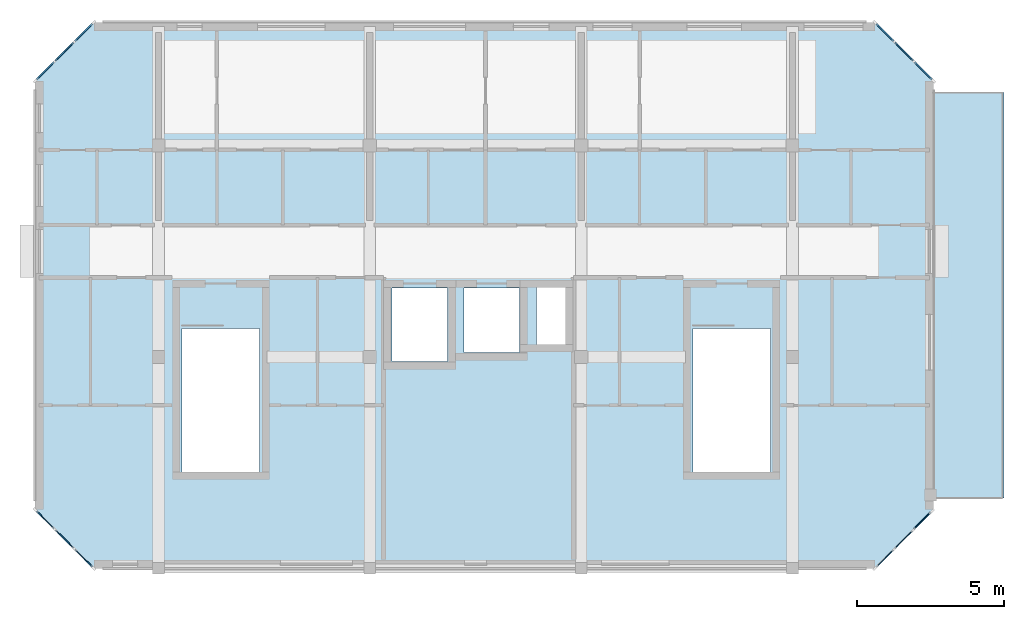
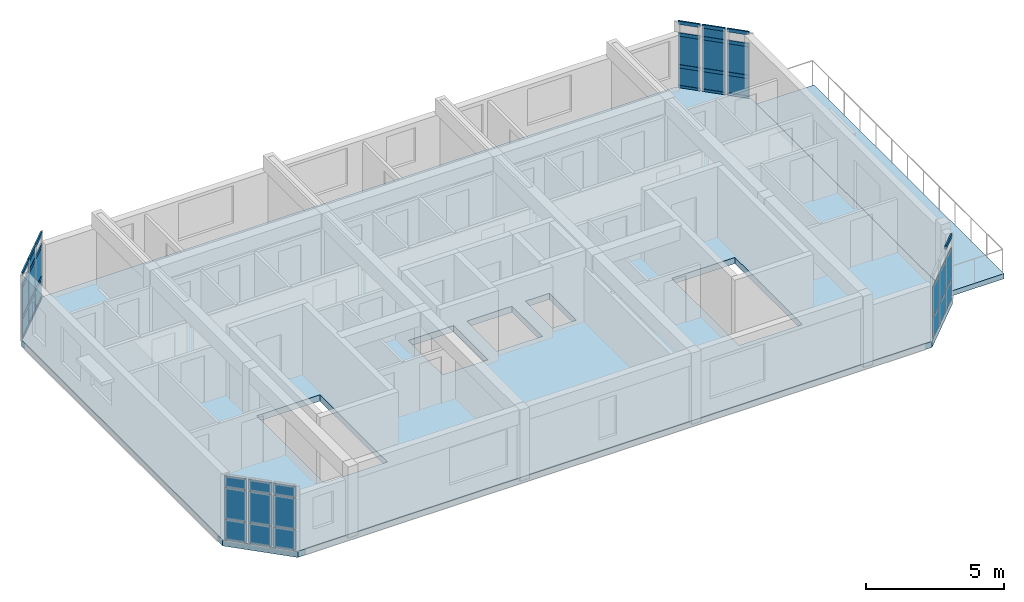
# One storey, part 2 of 6: 29 plates, 25 members, 2 slabs, 4 elements without a shape of their own.
"""IFC4 building model written with IfcOpenShell, lengths in metres."""

import ifcopenshell
import ifcopenshell.guid

model = None  # the IFC model being written
_history = None  # IfcOwnerHistory: only IFC2X3 demands one
_inside = {}  # id of a spatial element -> (the spatial element, [elements in it])
_under = {}  # id of a project, library or spatial element -> (it, [spatial elements below it])
_declared = {}  # id of a project -> (the project, [libraries it declares])
_typed = {}  # id of a type object -> (the type object, [elements of that type])
_made_of = {}  # id of a material, layer set ... -> (it, [elements and type objects made of it])


def new_model(schema):
    """Start an empty IFC model of exactly this schema.

    Asked for "IFC4X3", IfcOpenShell would pick the latest addendum, in which some entities
    have other attributes; the version numbers below select the first issue.
    IFC2X3 requires an IfcOwnerHistory on every rooted entity: one is made here for all.
    """
    global model, _history
    if schema == "IFC4X3":
        model = ifcopenshell.file(schema_version=(4, 3, 0, 0))
    else:
        model = ifcopenshell.file(schema=schema)
    _inside.clear()
    _under.clear()
    _declared.clear()
    _typed.clear()
    _made_of.clear()
    _history = None
    if model.schema == "IFC2X3":
        org = make("IfcOrganization", Name="unknown")
        user = make(
            "IfcPersonAndOrganization",
            ThePerson=make("IfcPerson", FamilyName="unknown"),
            TheOrganization=org,
        )
        app = make(
            "IfcApplication",
            ApplicationDeveloper=org,
            Version="unknown",
            ApplicationFullName="unknown",
            ApplicationIdentifier="unknown",
        )
        _history = make(
            "IfcOwnerHistory",
            OwningUser=user,
            OwningApplication=app,
            ChangeAction="ADDED",
            CreationDate=0,
        )
    return model


def make(cls, **values):
    """One entity of the class cls with the attributes given. An attribute that is None is left unset."""
    return model.create_entity(
        cls, **{name: value for name, value in values.items() if value is not None}
    )


def rooted(cls, **values):
    """An entity with a GlobalId (a new one), such as an element, a storey or a relation."""
    return make(cls, GlobalId=ifcopenshell.guid.new(), OwnerHistory=_history, **values)


def si_unit(unit_type, name, prefix=None):
    """IfcSIUnit, for example si_unit("LENGTHUNIT", "METRE", prefix="MILLI")."""
    return make("IfcSIUnit", UnitType=unit_type, Prefix=prefix, Name=name)


def assignment(units):
    """IfcUnitAssignment: the units of a project."""
    return None if units is None else make("IfcUnitAssignment", Units=units)


def point(xyz):
    """IfcCartesianPoint."""
    return None if xyz is None else make("IfcCartesianPoint", Coordinates=xyz)


def direction(xyz):
    """IfcDirection."""
    return None if xyz is None else make("IfcDirection", DirectionRatios=xyz)


def frame(location, z_axis=None, x_axis=None):
    """IfcAxis2Placement3D, a coordinate frame: its origin and axes. An axis left out is left unset."""
    return make(
        "IfcAxis2Placement3D",
        Location=point(location),
        Axis=direction(z_axis),
        RefDirection=direction(x_axis),
    )


def frame_2d(location, x_axis=None):
    """IfcAxis2Placement2D, a coordinate frame in the plane: its origin and x axis."""
    return make(
        "IfcAxis2Placement2D", Location=point(location), RefDirection=direction(x_axis)
    )


def origin():
    """The frame at (0, 0, 0) with its axes left unset."""
    return frame((0.0, 0.0, 0.0))


def origin_2d():
    """The frame at (0, 0) in the plane with its x axis left unset."""
    return frame_2d((0.0, 0.0))


def place(relative_to, where):
    """IfcLocalPlacement: puts the frame where relative to a parent placement (None: the world)."""
    return make(
        "IfcLocalPlacement", PlacementRelTo=relative_to, RelativePlacement=where
    )


def context(
    kind, dimensions, precision=None, world=None, true_north=None, identifier=None
):
    """IfcGeometricRepresentationContext, for example the 3D "Model" context."""
    return make(
        "IfcGeometricRepresentationContext",
        ContextIdentifier=identifier,
        ContextType=kind,
        CoordinateSpaceDimension=dimensions,
        Precision=precision,
        WorldCoordinateSystem=world,
        TrueNorth=true_north,
    )


def subcontext(parent, identifier, kind, view, scale=None):
    """IfcGeometricRepresentationSubContext, for example "Body" below "Model"."""
    return make(
        "IfcGeometricRepresentationSubContext",
        ContextIdentifier=identifier,
        ContextType=kind,
        ParentContext=parent,
        TargetScale=scale,
        TargetView=view,
    )


def project(units=None, contexts=None):
    """IfcProject with its units and contexts."""
    return rooted(
        "IfcProject",
        Name="project",
        RepresentationContexts=contexts,
        UnitsInContext=assignment(units),
    )


def spatial(cls, under=None, at=None, **own):
    """A site, building, storey or space (cls), placed at a placement, below another one or the project."""
    s = rooted(cls, ObjectPlacement=at, **own)
    if under is not None:
        _under.setdefault(under.id(), (under, []))[1].append(s)
    return s


def polyline(points):
    """IfcPolyline through the points."""
    return make("IfcPolyline", Points=[point(p) for p in points])


def profile(cls, at=None, kind="AREA", **sizes):
    """A parametric profile (cls). Its sizes go by their IFC names, for example OverallWidth=200.0."""
    return make(cls, ProfileType=kind, Position=at, **sizes)


def rectangle(**sizes):
    """IfcRectangleProfileDef."""
    return profile("IfcRectangleProfileDef", **sizes)


def outline(outer, holes=None, kind="AREA"):
    """IfcArbitraryClosedProfileDef: a profile drawn as a closed curve; with holes, ...WithVoids."""
    if holes is None:
        return make("IfcArbitraryClosedProfileDef", ProfileType=kind, OuterCurve=outer)
    return make(
        "IfcArbitraryProfileDefWithVoids",
        ProfileType=kind,
        OuterCurve=outer,
        InnerCurves=holes,
    )


def extrude(swept, where, along, depth):
    """IfcExtrudedAreaSolid: the profile swept, set in the frame where, extruded along a direction by depth."""
    return make(
        "IfcExtrudedAreaSolid",
        SweptArea=swept,
        Position=where,
        ExtrudedDirection=direction(along),
        Depth=depth,
    )


def shape(context_of_items, identifier, shape_type, items):
    """IfcShapeRepresentation: the items that make up one representation, for example the "Body"."""
    return make(
        "IfcShapeRepresentation",
        ContextOfItems=context_of_items,
        RepresentationIdentifier=identifier,
        RepresentationType=shape_type,
        Items=items,
    )


def material(Name=None, Category=None):
    """IfcMaterial."""
    return make("IfcMaterial", Name=Name, Category=Category)


def layer(
    of_material, thickness, ventilated=None, Name=None, Category=None, Priority=None
):
    """IfcMaterialLayer: one layer of a wall or slab, of a material (None: an air gap)."""
    return make(
        "IfcMaterialLayer",
        Material=of_material,
        LayerThickness=thickness,
        IsVentilated=ventilated,
        Name=Name,
        Category=Category,
        Priority=Priority,
    )


def layer_set(layers, Name=None):
    """IfcMaterialLayerSet."""
    return make("IfcMaterialLayerSet", MaterialLayers=layers, LayerSetName=Name)


def material_profile(
    of_material, cross_section, Name=None, Category=None, Priority=None
):
    """IfcMaterialProfile: a cross section and its material."""
    return make(
        "IfcMaterialProfile",
        Name=Name,
        Material=of_material,
        Profile=cross_section,
        Priority=Priority,
        Category=Category,
    )


def profile_set(profiles, Name=None, composite=None):
    """IfcMaterialProfileSet."""
    return make(
        "IfcMaterialProfileSet",
        Name=Name,
        MaterialProfiles=profiles,
        CompositeProfile=composite,
    )


def made_of(thing, what):
    """Note that an element or type object is made of a material, layer set ...; save() writes the relation."""
    if what is not None:
        _made_of.setdefault(what.id(), (what, []))[1].append(thing)
    return thing


def type_object(cls, material=None, **own):
    """A type object (cls), such as IfcWallType, which elements share."""
    return made_of(rooted(cls, **own), material)


def element(
    cls,
    number,
    at=None,
    inside=None,
    cuts=None,
    type_object=None,
    material=None,
    context=None,
    identifier="Body",
    shape_type=None,
    held_by="IfcProductDefinitionShape",
    body=None,
    shapes=None,
    **own,
):
    """One element of the class cls, such as IfcWall. Its Tag is "e" and its number.

    at: its placement. inside: the storey or other place that contains it. cuts: it is an
    opening in that element (IfcRelVoidsElement). A single representation is given by context,
    identifier, shape_type and body (its items); several are given by shapes. held_by: the class
    of the entity that holds the representations. save() writes the other relations.
    """
    e = rooted(cls, Tag="e%d" % number, ObjectPlacement=at, **own)
    if body is not None:
        shapes = [shape(context, identifier, shape_type, body)]
    if shapes is not None:
        e.Representation = make(held_by, Representations=shapes)
    if inside is not None:
        _inside.setdefault(inside.id(), (inside, []))[1].append(e)
    if cuts is not None:
        rooted(
            "IfcRelVoidsElement", RelatingBuildingElement=cuts, RelatedOpeningElement=e
        )
    if type_object is not None:
        _typed.setdefault(type_object.id(), (type_object, []))[1].append(e)
    return made_of(e, material)


def aggregate(whole, parts):
    """IfcRelAggregates: a whole, such as a stair, and the parts it consists of."""
    return rooted("IfcRelAggregates", RelatingObject=whole, RelatedObjects=parts)


def save(model, path):
    """Write the relations noted so far, then the file.

    IfcRelAggregates (storeys below a building ...), IfcRelContainedInSpatialStructure (elements
    in a storey), IfcRelDefinesByType, IfcRelAssociatesMaterial and IfcRelDeclares: one each for
    every whole, place, type object, material and project.
    """
    for whole, parts in _under.values():
        aggregate(whole, parts)
    for where, things in _inside.values():
        rooted(
            "IfcRelContainedInSpatialStructure",
            RelatedElements=things,
            RelatingStructure=where,
        )
    for kind, things in _typed.values():
        rooted("IfcRelDefinesByType", RelatedObjects=things, RelatingType=kind)
    for what, things in _made_of.values():
        rooted("IfcRelAssociatesMaterial", RelatedObjects=things, RelatingMaterial=what)
    for by, libraries in _declared.values():
        rooted("IfcRelDeclares", RelatingContext=by, RelatedDefinitions=libraries)
    model.write(path)


model = new_model("IFC4")

# Units and contexts
model_context = context("Model", 3, precision=1e-05, world=origin(), true_north=direction((0.0, 1.0)))
body_context = subcontext(model_context, "Body", "Model", "MODEL_VIEW")
ifc_project = project(units=[si_unit("LENGTHUNIT", "METRE"), si_unit("AREAUNIT", "SQUARE_METRE"), si_unit("VOLUMEUNIT", "CUBIC_METRE"), si_unit("PLANEANGLEUNIT", "RADIAN"), si_unit("MASSUNIT", "GRAM", prefix="KILO")], contexts=[model_context])

# Site, building, storey
site_placement = place(None, origin())
site = spatial("IfcSite", under=ifc_project, at=site_placement, CompositionType="ELEMENT")
building_placement = place(site_placement, origin())
building = spatial("IfcBuilding", under=site, at=building_placement, Name="Ochrevale Crest", CompositionType="ELEMENT")
storey_placement = place(building_placement, frame((0.0, 0.0, 49.64990234375)))
storey = spatial("IfcBuildingStorey", under=building, at=storey_placement, Name="L15", CompositionType="ELEMENT", Elevation=49.64990234375)

# Curtain wall, member
ifc_material_1 = material(Name="Anodised aluminium 6063-T5", Category="aluminium")
ifc_layer_1 = layer(ifc_material_1, 0.14990234375)
ifc_layer_set_1 = layer_set([ifc_layer_1], Name="Anodised aluminium 6063-T5")
curtain_wall_type_1 = type_object("IfcCurtainWallType", Name="CW-WG-320x285", PredefinedType="NOTDEFINED", material=ifc_layer_set_1)
curtain_wall_1_placement = place(storey_placement, origin())
curtain_wall_1 = element("IfcCurtainWall", 1, at=curtain_wall_1_placement, inside=storey, type_object=curtain_wall_type_1, Name="Block D L15 chamfered corner wintergarden curtain wall 2", PredefinedType="NOTDEFINED")
ifc_material_profile = material_profile(ifc_material_1, rectangle(XDim=0.06005859375, YDim=0.14990234375, at=origin_2d()), Name="ALU 60x150")
ifc_profile_set = profile_set([ifc_material_profile], Name="Anodised aluminium 6063-T5")
member_type = type_object("IfcMemberType", Name="CW-TRN-60x150", PredefinedType="USERDEFINED", material=ifc_profile_set)
member_1_placement = place(storey_placement, frame((162.533203125, 73.333251953125, 2.880126953125), z_axis=(0.707106781187, 0.707106781187, 0.0), x_axis=(-0.707106781187, 0.707106781187, 0.0)))
member_1 = element("IfcMember", 2, at=member_1_placement, type_object=member_type, Name="CW17 transom 3.4", ObjectType="TRANSOM", PredefinedType="USERDEFINED", context=body_context, shape_type="SweptSolid", body=[
    extrude(rectangle(XDim=0.06005859375, YDim=0.14990234375, at=origin_2d()), origin(), (0.0, 0.0, 1.0), 0.811279296875),
])

# Curtain wall, members
ifc_layer_2 = layer(ifc_material_1, 0.14990234375)
ifc_layer_set_2 = layer_set([ifc_layer_2], Name="Anodised aluminium 6063-T5")
curtain_wall_type_2 = type_object("IfcCurtainWallType", Name="CW-WG-420x285", PredefinedType="NOTDEFINED", material=ifc_layer_set_2)
curtain_wall_2_placement = place(storey_placement, origin())
curtain_wall_2 = element("IfcCurtainWall", 3, at=curtain_wall_2_placement, inside=storey, type_object=curtain_wall_type_2, Name="Block D L15 chamfered corner wintergarden curtain wall 4", PredefinedType="NOTDEFINED")
member_2_placement = place(storey_placement, frame((163.14697265625, 88.653076171875, 0.030029296875), z_axis=(-0.707106781187, 0.707106781187, 0.0), x_axis=(-0.707106781187, -0.707106781187, 0.0)))
member_2 = element("IfcMember", 4, at=member_2_placement, type_object=member_type, Name="CW22 transom 1.1", ObjectType="TRANSOM", PredefinedType="USERDEFINED", context=body_context, shape_type="SweptSolid", body=[
    extrude(rectangle(XDim=0.06005859375, YDim=0.14990234375, at=origin_2d()), origin(), (0.0, 0.0, 1.0), 0.830322265625),
])
member_3_placement = place(storey_placement, frame((163.14697265625, 88.653076171875, 0.9501953125), z_axis=(-0.707106781187, 0.707106781187, 0.0), x_axis=(-0.707106781187, -0.707106781187, 0.0)))
member_3 = element("IfcMember", 5, at=member_3_placement, type_object=member_type, Name="CW22 transom 1.2", ObjectType="TRANSOM", PredefinedType="USERDEFINED", context=body_context, shape_type="SweptSolid", body=[
    extrude(rectangle(XDim=0.06005859375, YDim=0.14990234375, at=origin_2d()), origin(), (0.0, 0.0, 1.0), 0.830322265625),
])
member_4_placement = place(storey_placement, frame((163.14697265625, 88.653076171875, 2.360107421875), z_axis=(-0.707106781187, 0.707106781187, 0.0), x_axis=(-0.707106781187, -0.707106781187, 0.0)))
member_4 = element("IfcMember", 6, at=member_4_placement, type_object=member_type, Name="CW22 transom 1.3", ObjectType="TRANSOM", PredefinedType="USERDEFINED", context=body_context, shape_type="SweptSolid", body=[
    extrude(rectangle(XDim=0.06005859375, YDim=0.14990234375, at=origin_2d()), origin(), (0.0, 0.0, 1.0), 0.830322265625),
])
member_5_placement = place(storey_placement, frame((163.14697265625, 88.653076171875, 2.880126953125), z_axis=(-0.707106781187, 0.707106781187, 0.0), x_axis=(-0.707106781187, -0.707106781187, 0.0)))
member_5 = element("IfcMember", 7, at=member_5_placement, type_object=member_type, Name="CW22 transom 1.4", ObjectType="TRANSOM", PredefinedType="USERDEFINED", context=body_context, shape_type="SweptSolid", body=[
    extrude(rectangle(XDim=0.06005859375, YDim=0.14990234375, at=origin_2d()), origin(), (0.0, 0.0, 1.0), 0.830322265625),
])
member_6_placement = place(storey_placement, frame((162.5068359375, 89.293212890625, 0.030029296875), z_axis=(-0.707247428976, 0.706966105416, 0.0), x_axis=(-0.706966105416, -0.707247428976, 0.0)))
member_6 = element("IfcMember", 8, at=member_6_placement, type_object=member_type, Name="CW22 transom 2.1", ObjectType="TRANSOM", PredefinedType="USERDEFINED", context=body_context, shape_type="SweptSolid", body=[
    extrude(rectangle(XDim=0.06005859375, YDim=0.14990234375, at=origin_2d()), origin(), (0.0, 0.0, 1.0), 0.867919921875),
])
member_7_placement = place(storey_placement, frame((162.5068359375, 89.293212890625, 0.9501953125), z_axis=(-0.707247428976, 0.706966105416, 0.0), x_axis=(-0.706966105416, -0.707247428976, 0.0)))
member_7 = element("IfcMember", 9, at=member_7_placement, type_object=member_type, Name="CW22 transom 2.2", ObjectType="TRANSOM", PredefinedType="USERDEFINED", context=body_context, shape_type="SweptSolid", body=[
    extrude(rectangle(XDim=0.06005859375, YDim=0.14990234375, at=origin_2d()), origin(), (0.0, 0.0, 1.0), 0.867919921875),
])
member_8_placement = place(storey_placement, frame((162.5068359375, 89.293212890625, 2.360107421875), z_axis=(-0.707247428976, 0.706966105416, 0.0), x_axis=(-0.706966105416, -0.707247428976, 0.0)))
member_8 = element("IfcMember", 10, at=member_8_placement, type_object=member_type, Name="CW22 transom 2.3", ObjectType="TRANSOM", PredefinedType="USERDEFINED", context=body_context, shape_type="SweptSolid", body=[
    extrude(rectangle(XDim=0.06005859375, YDim=0.14990234375, at=origin_2d()), origin(), (0.0, 0.0, 1.0), 0.867919921875),
])
member_9_placement = place(storey_placement, frame((162.5068359375, 89.293212890625, 2.880126953125), z_axis=(-0.707247428976, 0.706966105416, 0.0), x_axis=(-0.706966105416, -0.707247428976, 0.0)))
member_9 = element("IfcMember", 11, at=member_9_placement, type_object=member_type, Name="CW22 transom 2.4", ObjectType="TRANSOM", PredefinedType="USERDEFINED", context=body_context, shape_type="SweptSolid", body=[
    extrude(rectangle(XDim=0.06005859375, YDim=0.14990234375, at=origin_2d()), origin(), (0.0, 0.0, 1.0), 0.867919921875),
])
member_10_placement = place(storey_placement, frame((161.840087890625, 89.9599609375, 0.030029296875), z_axis=(-0.707253804112, 0.706959727686, 0.0), x_axis=(-0.706959727686, -0.707253804112, 0.0)))
member_10 = element("IfcMember", 12, at=member_10_placement, type_object=member_type, Name="CW22 transom 3.1", ObjectType="TRANSOM", PredefinedType="USERDEFINED", context=body_context, shape_type="SweptSolid", body=[
    extrude(rectangle(XDim=0.06005859375, YDim=0.14990234375, at=origin_2d()), origin(), (0.0, 0.0, 1.0), 0.830078125),
])
member_11_placement = place(storey_placement, frame((161.840087890625, 89.9599609375, 0.9501953125), z_axis=(-0.707253804112, 0.706959727686, 0.0), x_axis=(-0.706959727686, -0.707253804112, 0.0)))
member_11 = element("IfcMember", 13, at=member_11_placement, type_object=member_type, Name="CW22 transom 3.2", ObjectType="TRANSOM", PredefinedType="USERDEFINED", context=body_context, shape_type="SweptSolid", body=[
    extrude(rectangle(XDim=0.06005859375, YDim=0.14990234375, at=origin_2d()), origin(), (0.0, 0.0, 1.0), 0.830078125),
])
member_12_placement = place(storey_placement, frame((161.840087890625, 89.9599609375, 2.360107421875), z_axis=(-0.707253804112, 0.706959727686, 0.0), x_axis=(-0.706959727686, -0.707253804112, 0.0)))
member_12 = element("IfcMember", 14, at=member_12_placement, type_object=member_type, Name="CW22 transom 3.3", ObjectType="TRANSOM", PredefinedType="USERDEFINED", context=body_context, shape_type="SweptSolid", body=[
    extrude(rectangle(XDim=0.06005859375, YDim=0.14990234375, at=origin_2d()), origin(), (0.0, 0.0, 1.0), 0.830078125),
])
member_13_placement = place(storey_placement, frame((161.840087890625, 89.9599609375, 2.880126953125), z_axis=(-0.707253804112, 0.706959727686, 0.0), x_axis=(-0.706959727686, -0.707253804112, 0.0)))
member_13 = element("IfcMember", 15, at=member_13_placement, type_object=member_type, Name="CW22 transom 3.4", ObjectType="TRANSOM", PredefinedType="USERDEFINED", context=body_context, shape_type="SweptSolid", body=[
    extrude(rectangle(XDim=0.06005859375, YDim=0.14990234375, at=origin_2d()), origin(), (0.0, 0.0, 1.0), 0.830078125),
])

ifc_layer_3 = layer(ifc_material_1, 0.14990234375)
ifc_layer_set_3 = layer_set([ifc_layer_3], Name="Anodised aluminium 6063-T5")
curtain_wall_type_3 = type_object("IfcCurtainWallType", Name="CW-WG-280x285", PredefinedType="NOTDEFINED", material=ifc_layer_set_3)
curtain_wall_3_placement = place(storey_placement, origin())
curtain_wall_3 = element("IfcCurtainWall", 16, at=curtain_wall_3_placement, inside=storey, type_object=curtain_wall_type_3, Name="Block D L15 chamfered corner wintergarden curtain wall 6", PredefinedType="NOTDEFINED")
member_14_placement = place(storey_placement, frame((134.546875, 90.546875, 0.030029296875), z_axis=(-0.707106781187, -0.707106781187, 0.0), x_axis=(0.707106781187, -0.707106781187, 0.0)))
member_14 = element("IfcMember", 17, at=member_14_placement, type_object=member_type, Name="CW16 transom 1.1", ObjectType="TRANSOM", PredefinedType="USERDEFINED", context=body_context, shape_type="SweptSolid", body=[
    extrude(rectangle(XDim=0.06005859375, YDim=0.14990234375, at=origin_2d()), origin(), (0.0, 0.0, 1.0), 0.830078125),
])
member_15_placement = place(storey_placement, frame((134.546875, 90.546875, 0.9501953125), z_axis=(-0.707106781187, -0.707106781187, 0.0), x_axis=(0.707106781187, -0.707106781187, 0.0)))
member_15 = element("IfcMember", 18, at=member_15_placement, type_object=member_type, Name="CW16 transom 1.2", ObjectType="TRANSOM", PredefinedType="USERDEFINED", context=body_context, shape_type="SweptSolid", body=[
    extrude(rectangle(XDim=0.06005859375, YDim=0.14990234375, at=origin_2d()), origin(), (0.0, 0.0, 1.0), 0.830078125),
])
member_16_placement = place(storey_placement, frame((134.546875, 90.546875, 2.360107421875), z_axis=(-0.707106781187, -0.707106781187, 0.0), x_axis=(0.707106781187, -0.707106781187, 0.0)))
member_16 = element("IfcMember", 19, at=member_16_placement, type_object=member_type, Name="CW16 transom 1.3", ObjectType="TRANSOM", PredefinedType="USERDEFINED", context=body_context, shape_type="SweptSolid", body=[
    extrude(rectangle(XDim=0.06005859375, YDim=0.14990234375, at=origin_2d()), origin(), (0.0, 0.0, 1.0), 0.830078125),
])
member_17_placement = place(storey_placement, frame((134.546875, 90.546875, 2.880126953125), z_axis=(-0.707106781187, -0.707106781187, 0.0), x_axis=(0.707106781187, -0.707106781187, 0.0)))
member_17 = element("IfcMember", 20, at=member_17_placement, type_object=member_type, Name="CW16 transom 1.4", ObjectType="TRANSOM", PredefinedType="USERDEFINED", context=body_context, shape_type="SweptSolid", body=[
    extrude(rectangle(XDim=0.06005859375, YDim=0.14990234375, at=origin_2d()), origin(), (0.0, 0.0, 1.0), 0.830078125),
])
member_18_placement = place(storey_placement, frame((133.90673828125, 89.90673828125, 0.030029296875), z_axis=(-0.707106781187, -0.707106781187, 0.0), x_axis=(0.707106781187, -0.707106781187, 0.0)))
member_18 = element("IfcMember", 21, at=member_18_placement, type_object=member_type, Name="CW16 transom 2.1", ObjectType="TRANSOM", PredefinedType="USERDEFINED", context=body_context, shape_type="SweptSolid", body=[
    extrude(rectangle(XDim=0.06005859375, YDim=0.14990234375, at=origin_2d()), origin(), (0.0, 0.0, 1.0), 0.86767578125),
])
member_19_placement = place(storey_placement, frame((133.90673828125, 89.90673828125, 0.9501953125), z_axis=(-0.707106781187, -0.707106781187, 0.0), x_axis=(0.707106781187, -0.707106781187, 0.0)))
member_19 = element("IfcMember", 22, at=member_19_placement, type_object=member_type, Name="CW16 transom 2.2", ObjectType="TRANSOM", PredefinedType="USERDEFINED", context=body_context, shape_type="SweptSolid", body=[
    extrude(rectangle(XDim=0.06005859375, YDim=0.14990234375, at=origin_2d()), origin(), (0.0, 0.0, 1.0), 0.86767578125),
])
member_20_placement = place(storey_placement, frame((133.90673828125, 89.90673828125, 2.360107421875), z_axis=(-0.707106781187, -0.707106781187, 0.0), x_axis=(0.707106781187, -0.707106781187, 0.0)))
member_20 = element("IfcMember", 23, at=member_20_placement, type_object=member_type, Name="CW16 transom 2.3", ObjectType="TRANSOM", PredefinedType="USERDEFINED", context=body_context, shape_type="SweptSolid", body=[
    extrude(rectangle(XDim=0.06005859375, YDim=0.14990234375, at=origin_2d()), origin(), (0.0, 0.0, 1.0), 0.86767578125),
])
member_21_placement = place(storey_placement, frame((133.90673828125, 89.90673828125, 2.880126953125), z_axis=(-0.707106781187, -0.707106781187, 0.0), x_axis=(0.707106781187, -0.707106781187, 0.0)))
member_21 = element("IfcMember", 24, at=member_21_placement, type_object=member_type, Name="CW16 transom 2.4", ObjectType="TRANSOM", PredefinedType="USERDEFINED", context=body_context, shape_type="SweptSolid", body=[
    extrude(rectangle(XDim=0.06005859375, YDim=0.14990234375, at=origin_2d()), origin(), (0.0, 0.0, 1.0), 0.86767578125),
])
member_22_placement = place(storey_placement, frame((133.240234375, 89.240234375, 0.030029296875), z_axis=(-0.707106781187, -0.707106781187, 0.0), x_axis=(0.707106781187, -0.707106781187, 0.0)))
member_22 = element("IfcMember", 25, at=member_22_placement, type_object=member_type, Name="CW16 transom 3.1", ObjectType="TRANSOM", PredefinedType="USERDEFINED", context=body_context, shape_type="SweptSolid", body=[
    extrude(rectangle(XDim=0.06005859375, YDim=0.14990234375, at=origin_2d()), origin(), (0.0, 0.0, 1.0), 0.830322265625),
])
member_23_placement = place(storey_placement, frame((133.240234375, 89.240234375, 0.9501953125), z_axis=(-0.707106781187, -0.707106781187, 0.0), x_axis=(0.707106781187, -0.707106781187, 0.0)))
member_23 = element("IfcMember", 26, at=member_23_placement, type_object=member_type, Name="CW16 transom 3.2", ObjectType="TRANSOM", PredefinedType="USERDEFINED", context=body_context, shape_type="SweptSolid", body=[
    extrude(rectangle(XDim=0.06005859375, YDim=0.14990234375, at=origin_2d()), origin(), (0.0, 0.0, 1.0), 0.830322265625),
])
member_24_placement = place(storey_placement, frame((133.240234375, 89.240234375, 2.360107421875), z_axis=(-0.707106781187, -0.707106781187, 0.0), x_axis=(0.707106781187, -0.707106781187, 0.0)))
member_24 = element("IfcMember", 27, at=member_24_placement, type_object=member_type, Name="CW16 transom 3.3", ObjectType="TRANSOM", PredefinedType="USERDEFINED", context=body_context, shape_type="SweptSolid", body=[
    extrude(rectangle(XDim=0.06005859375, YDim=0.14990234375, at=origin_2d()), origin(), (0.0, 0.0, 1.0), 0.830322265625),
])
member_25_placement = place(storey_placement, frame((133.240234375, 89.240234375, 2.880126953125), z_axis=(-0.707106781187, -0.707106781187, 0.0), x_axis=(0.707106781187, -0.707106781187, 0.0)))
member_25 = element("IfcMember", 28, at=member_25_placement, type_object=member_type, Name="CW16 transom 3.4", ObjectType="TRANSOM", PredefinedType="USERDEFINED", context=body_context, shape_type="SweptSolid", body=[
    extrude(rectangle(XDim=0.06005859375, YDim=0.14990234375, at=origin_2d()), origin(), (0.0, 0.0, 1.0), 0.830322265625),
])

# Plate
ifc_material_2 = material(Name="Double-glazed low-E insulated glass unit", Category="glass")
ifc_layer_4 = layer(ifc_material_2, 0.028076171875)
ifc_layer_set_4 = layer_set([ifc_layer_4], Name="Double-glazed low-E insulated glass unit")
plate_type_1 = type_object("IfcPlateType", Name="CW-PNL-IGU28", PredefinedType="CURTAIN_PANEL", material=ifc_layer_set_4)
plate_1_placement = place(storey_placement, frame((161.5400390625, 72.33984375, 0.06005859375), z_axis=(0.0, 0.0, 1.0), x_axis=(0.707106781187, 0.707106781187, 0.0)))
plate_1 = element("IfcPlate", 29, at=plate_1_placement, type_object=plate_type_1, Name="CW17 panel 1.1", PredefinedType="CURTAIN_PANEL", context=body_context, shape_type="SweptSolid", body=[
    extrude(rectangle(XDim=0.8115234375, YDim=0.028076171875, at=origin_2d()), origin(), (0.0, 0.0, 1.0), 0.860107421875),
])

plate_2_placement = place(storey_placement, frame((161.5400390625, 72.33984375, 0.97998046875), z_axis=(0.0, 0.0, 1.0), x_axis=(0.707106781187, 0.707106781187, 0.0)))
plate_2 = element("IfcPlate", 30, at=plate_2_placement, type_object=plate_type_1, Name="CW17 panel 1.2", PredefinedType="CURTAIN_PANEL", context=body_context, shape_type="SweptSolid", body=[
    extrude(rectangle(XDim=0.8115234375, YDim=0.028076171875, at=origin_2d()), origin(), (0.0, 0.0, 1.0), 1.35009765625),
])

plate_3_placement = place(storey_placement, frame((162.179931640625, 72.97998046875, 0.06005859375), z_axis=(0.0, 0.0, 1.0), x_axis=(0.707106781187, 0.707106781187, 0.0)))
plate_3 = element("IfcPlate", 31, at=plate_3_placement, type_object=plate_type_1, Name="CW17 panel 2.1", PredefinedType="CURTAIN_PANEL", context=body_context, shape_type="SweptSolid", body=[
    extrude(rectangle(XDim=0.848876953125, YDim=0.028076171875, at=origin_2d()), origin(), (0.0, 0.0, 1.0), 0.860107421875),
])

plate_4_placement = place(storey_placement, frame((162.179931640625, 72.97998046875, 0.97998046875), z_axis=(0.0, 0.0, 1.0), x_axis=(0.707106781187, 0.707106781187, 0.0)))
plate_4 = element("IfcPlate", 32, at=plate_4_placement, type_object=plate_type_1, Name="CW17 panel 2.2", PredefinedType="CURTAIN_PANEL", context=body_context, shape_type="SweptSolid", body=[
    extrude(rectangle(XDim=0.848876953125, YDim=0.028076171875, at=origin_2d()), origin(), (0.0, 0.0, 1.0), 1.35009765625),
])

plate_5_placement = place(storey_placement, frame((162.820068359375, 73.6201171875, 0.06005859375), z_axis=(0.0, 0.0, 1.0), x_axis=(0.707106781187, 0.707106781187, 0.0)))
plate_5 = element("IfcPlate", 33, at=plate_5_placement, type_object=plate_type_1, Name="CW17 panel 3.1", PredefinedType="CURTAIN_PANEL", context=body_context, shape_type="SweptSolid", body=[
    extrude(rectangle(XDim=0.8115234375, YDim=0.028076171875, at=origin_2d()), origin(), (0.0, 0.0, 1.0), 0.860107421875),
])

plate_6_placement = place(storey_placement, frame((162.820068359375, 73.6201171875, 0.97998046875), z_axis=(0.0, 0.0, 1.0), x_axis=(0.707106781187, 0.707106781187, 0.0)))
plate_6 = element("IfcPlate", 34, at=plate_6_placement, type_object=plate_type_1, Name="CW17 panel 3.2", PredefinedType="CURTAIN_PANEL", context=body_context, shape_type="SweptSolid", body=[
    extrude(rectangle(XDim=0.8115234375, YDim=0.028076171875, at=origin_2d()), origin(), (0.0, 0.0, 1.0), 1.35009765625),
])

aggregate(curtain_wall_1, [plate_1, plate_2, plate_3, plate_4, member_1, plate_5, plate_6])

plate_7_placement = place(storey_placement, frame((162.853515625, 88.946533203125, 0.06005859375), z_axis=(0.0, 0.0, 1.0), x_axis=(-0.707106781187, 0.707106781187, 0.0)))
plate_7 = element("IfcPlate", 35, at=plate_7_placement, type_object=plate_type_1, Name="CW22 panel 1.1", PredefinedType="CURTAIN_PANEL", context=body_context, shape_type="SweptSolid", body=[
    extrude(rectangle(XDim=0.830322265625, YDim=0.028076171875, at=origin_2d()), origin(), (0.0, 0.0, 1.0), 0.860107421875),
])

plate_8_placement = place(storey_placement, frame((162.853515625, 88.946533203125, 0.97998046875), z_axis=(0.0, 0.0, 1.0), x_axis=(-0.707106781187, 0.707106781187, 0.0)))
plate_8 = element("IfcPlate", 36, at=plate_8_placement, type_object=plate_type_1, Name="CW22 panel 1.2", PredefinedType="CURTAIN_PANEL", context=body_context, shape_type="SweptSolid", body=[
    extrude(rectangle(XDim=0.830322265625, YDim=0.028076171875, at=origin_2d()), origin(), (0.0, 0.0, 1.0), 1.35009765625),
])

plate_9_placement = place(storey_placement, frame((162.199951171875, 89.60009765625, 0.06005859375), z_axis=(0.0, 0.0, 1.0), x_axis=(-0.707106781187, 0.707106781187, 0.0)))
plate_9 = element("IfcPlate", 37, at=plate_9_placement, type_object=plate_type_1, Name="CW22 panel 2.1", PredefinedType="CURTAIN_PANEL", context=body_context, shape_type="SweptSolid", body=[
    extrude(rectangle(XDim=0.867919921875, YDim=0.028076171875, at=origin_2d()), origin(), (0.0, 0.0, 1.0), 0.860107421875),
])

plate_10_placement = place(storey_placement, frame((162.199951171875, 89.60009765625, 0.97998046875), z_axis=(0.0, 0.0, 1.0), x_axis=(-0.707106781187, 0.707106781187, 0.0)))
plate_10 = element("IfcPlate", 38, at=plate_10_placement, type_object=plate_type_1, Name="CW22 panel 2.2", PredefinedType="CURTAIN_PANEL", context=body_context, shape_type="SweptSolid", body=[
    extrude(rectangle(XDim=0.867919921875, YDim=0.028076171875, at=origin_2d()), origin(), (0.0, 0.0, 1.0), 1.35009765625),
])

plate_11_placement = place(storey_placement, frame((162.199951171875, 89.60009765625, 2.39013671875), z_axis=(0.0, 0.0, 1.0), x_axis=(-0.707106781187, 0.707106781187, 0.0)))
plate_11 = element("IfcPlate", 39, at=plate_11_placement, type_object=plate_type_1, Name="CW22 panel 2.3", PredefinedType="CURTAIN_PANEL", context=body_context, shape_type="SweptSolid", body=[
    extrude(rectangle(XDim=0.867919921875, YDim=0.028076171875, at=origin_2d()), origin(), (0.0, 0.0, 1.0), 0.4599609375),
])

plate_12_placement = place(storey_placement, frame((161.546630859375, 90.25341796875, 0.06005859375), z_axis=(0.0, 0.0, 1.0), x_axis=(-0.707106781187, 0.707106781187, 0.0)))
plate_12 = element("IfcPlate", 40, at=plate_12_placement, type_object=plate_type_1, Name="CW22 panel 3.1", PredefinedType="CURTAIN_PANEL", context=body_context, shape_type="SweptSolid", body=[
    extrude(rectangle(XDim=0.830322265625, YDim=0.028076171875, at=origin_2d()), origin(), (0.0, 0.0, 1.0), 0.860107421875),
])

plate_13_placement = place(storey_placement, frame((161.546630859375, 90.25341796875, 0.97998046875), z_axis=(0.0, 0.0, 1.0), x_axis=(-0.707106781187, 0.707106781187, 0.0)))
plate_13 = element("IfcPlate", 41, at=plate_13_placement, type_object=plate_type_1, Name="CW22 panel 3.2", PredefinedType="CURTAIN_PANEL", context=body_context, shape_type="SweptSolid", body=[
    extrude(rectangle(XDim=0.830322265625, YDim=0.028076171875, at=origin_2d()), origin(), (0.0, 0.0, 1.0), 1.35009765625),
])

aggregate(curtain_wall_2, [member_2, member_3, member_4, member_5, plate_7, plate_8, member_6, member_7, member_8, member_9, plate_9, plate_10, plate_11, member_10, member_11, member_12, member_13, plate_12, plate_13])

ifc_material_3 = material(Name="Acoustic laminated low-E insulated glass unit", Category="glass")
ifc_layer_5 = layer(ifc_material_3, 0.0380859375)
ifc_layer_set_5 = layer_set([ifc_layer_5], Name="Acoustic laminated low-E insulated glass unit")
plate_type_2 = type_object("IfcPlateType", Name="CW-PNL-IGU38", PredefinedType="CURTAIN_PANEL", material=ifc_layer_set_5)
plate_14_placement = place(storey_placement, frame((134.25341796875, 90.25341796875, 0.06005859375), z_axis=(0.0, 0.0, 1.0), x_axis=(-0.707106781187, -0.707106781187, 0.0)))
plate_14 = element("IfcPlate", 42, at=plate_14_placement, type_object=plate_type_2, Name="CW16 panel 1.1", PredefinedType="CURTAIN_PANEL", context=body_context, shape_type="SweptSolid", body=[
    extrude(rectangle(XDim=0.830322265625, YDim=0.0380859375, at=origin_2d()), origin(), (0.0, 0.0, 1.0), 0.860107421875),
])

plate_15_placement = place(storey_placement, frame((134.25341796875, 90.25341796875, 0.97998046875), z_axis=(0.0, 0.0, 1.0), x_axis=(-0.707106781187, -0.707106781187, 0.0)))
plate_15 = element("IfcPlate", 43, at=plate_15_placement, type_object=plate_type_2, Name="CW16 panel 1.2", PredefinedType="CURTAIN_PANEL", context=body_context, shape_type="SweptSolid", body=[
    extrude(rectangle(XDim=0.830322265625, YDim=0.0380859375, at=origin_2d()), origin(), (0.0, 0.0, 1.0), 1.35009765625),
])

plate_16_placement = place(storey_placement, frame((133.60009765625, 89.60009765625, 0.06005859375), z_axis=(0.0, 0.0, 1.0), x_axis=(-0.707106781187, -0.707106781187, 0.0)))
plate_16 = element("IfcPlate", 44, at=plate_16_placement, type_object=plate_type_2, Name="CW16 panel 2.1", PredefinedType="CURTAIN_PANEL", context=body_context, shape_type="SweptSolid", body=[
    extrude(rectangle(XDim=0.867919921875, YDim=0.0380859375, at=origin_2d()), origin(), (0.0, 0.0, 1.0), 0.860107421875),
])

plate_17_placement = place(storey_placement, frame((133.60009765625, 89.60009765625, 0.97998046875), z_axis=(0.0, 0.0, 1.0), x_axis=(-0.707106781187, -0.707106781187, 0.0)))
plate_17 = element("IfcPlate", 45, at=plate_17_placement, type_object=plate_type_2, Name="CW16 panel 2.2", PredefinedType="CURTAIN_PANEL", context=body_context, shape_type="SweptSolid", body=[
    extrude(rectangle(XDim=0.867919921875, YDim=0.0380859375, at=origin_2d()), origin(), (0.0, 0.0, 1.0), 1.35009765625),
])

plate_18_placement = place(storey_placement, frame((133.60009765625, 89.60009765625, 2.39013671875), z_axis=(0.0, 0.0, 1.0), x_axis=(-0.707106781187, -0.707106781187, 0.0)))
plate_18 = element("IfcPlate", 46, at=plate_18_placement, type_object=plate_type_2, Name="CW16 panel 2.3", PredefinedType="CURTAIN_PANEL", context=body_context, shape_type="SweptSolid", body=[
    extrude(rectangle(XDim=0.867919921875, YDim=0.0380859375, at=origin_2d()), origin(), (0.0, 0.0, 1.0), 0.4599609375),
])

plate_19_placement = place(storey_placement, frame((132.946533203125, 88.946533203125, 0.06005859375), z_axis=(0.0, 0.0, 1.0), x_axis=(-0.707106781187, -0.707106781187, 0.0)))
plate_19 = element("IfcPlate", 47, at=plate_19_placement, type_object=plate_type_2, Name="CW16 panel 3.1", PredefinedType="CURTAIN_PANEL", context=body_context, shape_type="SweptSolid", body=[
    extrude(rectangle(XDim=0.830322265625, YDim=0.0380859375, at=origin_2d()), origin(), (0.0, 0.0, 1.0), 0.860107421875),
])

plate_20_placement = place(storey_placement, frame((132.946533203125, 88.946533203125, 0.97998046875), z_axis=(0.0, 0.0, 1.0), x_axis=(-0.707106781187, -0.707106781187, 0.0)))
plate_20 = element("IfcPlate", 48, at=plate_20_placement, type_object=plate_type_2, Name="CW16 panel 3.2", PredefinedType="CURTAIN_PANEL", context=body_context, shape_type="SweptSolid", body=[
    extrude(rectangle(XDim=0.830322265625, YDim=0.0380859375, at=origin_2d()), origin(), (0.0, 0.0, 1.0), 1.35009765625),
])

aggregate(curtain_wall_3, [member_14, member_15, member_16, member_17, plate_14, plate_15, member_18, member_19, member_20, member_21, plate_16, plate_17, plate_18, member_22, member_23, member_24, member_25, plate_19, plate_20])

# Curtain wall, plates
ifc_layer_6 = layer(ifc_material_1, 0.14990234375)
ifc_layer_set_6 = layer_set([ifc_layer_6], Name="Anodised aluminium 6063-T5")
curtain_wall_type_4 = type_object("IfcCurtainWallType", Name="CW-WG-360x285", PredefinedType="NOTDEFINED", material=ifc_layer_set_6)
curtain_wall_4_placement = place(storey_placement, origin())
curtain_wall_4 = element("IfcCurtainWall", 49, at=curtain_wall_4_placement, inside=storey, type_object=curtain_wall_type_4, Name="Block D L15 chamfered corner wintergarden curtain wall 8", PredefinedType="NOTDEFINED")
plate_21_placement = place(storey_placement, frame((132.946533203125, 73.6533203125, 0.06005859375), z_axis=(0.0, 0.0, 1.0), x_axis=(0.707106781187, -0.707106781187, 0.0)))
plate_21 = element("IfcPlate", 50, at=plate_21_placement, type_object=plate_type_2, Name="CW18 panel 1.1", PredefinedType="CURTAIN_PANEL", context=body_context, shape_type="SweptSolid", body=[
    extrude(rectangle(XDim=0.830322265625, YDim=0.0380859375, at=origin_2d()), origin(), (0.0, 0.0, 1.0), 0.860107421875),
])
plate_22_placement = place(storey_placement, frame((132.946533203125, 73.6533203125, 0.97998046875), z_axis=(0.0, 0.0, 1.0), x_axis=(0.707106781187, -0.707106781187, 0.0)))
plate_22 = element("IfcPlate", 51, at=plate_22_placement, type_object=plate_type_2, Name="CW18 panel 1.2", PredefinedType="CURTAIN_PANEL", context=body_context, shape_type="SweptSolid", body=[
    extrude(rectangle(XDim=0.830322265625, YDim=0.0380859375, at=origin_2d()), origin(), (0.0, 0.0, 1.0), 1.35009765625),
])
plate_23_placement = place(storey_placement, frame((132.946533203125, 73.6533203125, 2.39013671875), z_axis=(0.0, 0.0, 1.0), x_axis=(0.707106781187, -0.707106781187, 0.0)))
plate_23 = element("IfcPlate", 52, at=plate_23_placement, type_object=plate_type_2, Name="CW18 panel 1.3", PredefinedType="CURTAIN_PANEL", context=body_context, shape_type="SweptSolid", body=[
    extrude(rectangle(XDim=0.830322265625, YDim=0.0380859375, at=origin_2d()), origin(), (0.0, 0.0, 1.0), 0.4599609375),
])
plate_24_placement = place(storey_placement, frame((133.60009765625, 73.0, 0.06005859375), z_axis=(0.0, 0.0, 1.0), x_axis=(0.707106781187, -0.707106781187, 0.0)))
plate_24 = element("IfcPlate", 53, at=plate_24_placement, type_object=plate_type_2, Name="CW18 panel 2.1", PredefinedType="CURTAIN_PANEL", context=body_context, shape_type="SweptSolid", body=[
    extrude(rectangle(XDim=0.867919921875, YDim=0.0380859375, at=origin_2d()), origin(), (0.0, 0.0, 1.0), 0.860107421875),
])
plate_25_placement = place(storey_placement, frame((133.60009765625, 73.0, 0.97998046875), z_axis=(0.0, 0.0, 1.0), x_axis=(0.707106781187, -0.707106781187, 0.0)))
plate_25 = element("IfcPlate", 54, at=plate_25_placement, type_object=plate_type_2, Name="CW18 panel 2.2", PredefinedType="CURTAIN_PANEL", context=body_context, shape_type="SweptSolid", body=[
    extrude(rectangle(XDim=0.867919921875, YDim=0.0380859375, at=origin_2d()), origin(), (0.0, 0.0, 1.0), 1.35009765625),
])
plate_26_placement = place(storey_placement, frame((133.60009765625, 73.0, 2.39013671875), z_axis=(0.0, 0.0, 1.0), x_axis=(0.707106781187, -0.707106781187, 0.0)))
plate_26 = element("IfcPlate", 55, at=plate_26_placement, type_object=plate_type_2, Name="CW18 panel 2.3", PredefinedType="CURTAIN_PANEL", context=body_context, shape_type="SweptSolid", body=[
    extrude(rectangle(XDim=0.867919921875, YDim=0.0380859375, at=origin_2d()), origin(), (0.0, 0.0, 1.0), 0.4599609375),
])
plate_27_placement = place(storey_placement, frame((134.25341796875, 72.3466796875, 0.06005859375), z_axis=(0.0, 0.0, 1.0), x_axis=(0.707106781187, -0.707106781187, 0.0)))
plate_27 = element("IfcPlate", 56, at=plate_27_placement, type_object=plate_type_2, Name="CW18 panel 3.1", PredefinedType="CURTAIN_PANEL", context=body_context, shape_type="SweptSolid", body=[
    extrude(rectangle(XDim=0.830322265625, YDim=0.0380859375, at=origin_2d()), origin(), (0.0, 0.0, 1.0), 0.860107421875),
])
plate_28_placement = place(storey_placement, frame((134.25341796875, 72.3466796875, 0.97998046875), z_axis=(0.0, 0.0, 1.0), x_axis=(0.707106781187, -0.707106781187, 0.0)))
plate_28 = element("IfcPlate", 57, at=plate_28_placement, type_object=plate_type_2, Name="CW18 panel 3.2", PredefinedType="CURTAIN_PANEL", context=body_context, shape_type="SweptSolid", body=[
    extrude(rectangle(XDim=0.830322265625, YDim=0.0380859375, at=origin_2d()), origin(), (0.0, 0.0, 1.0), 1.35009765625),
])
plate_29_placement = place(storey_placement, frame((134.25341796875, 72.3466796875, 2.39013671875), z_axis=(0.0, 0.0, 1.0), x_axis=(0.707106781187, -0.707106781187, 0.0)))
plate_29 = element("IfcPlate", 58, at=plate_29_placement, type_object=plate_type_2, Name="CW18 panel 3.3", PredefinedType="CURTAIN_PANEL", context=body_context, shape_type="SweptSolid", body=[
    extrude(rectangle(XDim=0.830322265625, YDim=0.0380859375, at=origin_2d()), origin(), (0.0, 0.0, 1.0), 0.4599609375),
])
aggregate(curtain_wall_4, [plate_21, plate_22, plate_23, plate_24, plate_25, plate_26, plate_27, plate_28, plate_29])

# Slabs
ifc_material_4 = material(Name="Precast concrete C40/50", Category="concrete")
ifc_layer_7 = layer(ifc_material_4, 0.27490234375)
ifc_layer_set_7 = layer_set([ifc_layer_7], Name="Precast concrete C40/50")
slab_type_1 = type_object("IfcSlabType", Name="SLB-RES-275", PredefinedType="FLOOR", material=ifc_layer_set_7)
slab_1_placement = place(storey_placement, frame((0.0, 0.0, -0.27490234375)))
element("IfcSlab", 59, at=slab_1_placement, inside=storey, type_object=slab_type_1, Name="Block D L15 composite hollowcore floor slab", PredefinedType="FLOOR", context=body_context, shape_type="SweptSolid", body=[
    extrude(outline(polyline([(134.60009765625, 72.0), (161.199951171875, 72.0), (163.199951171875, 74.0), (163.199951171875, 88.60009765625), (161.199951171875, 90.60009765625), (134.60009765625, 90.60009765625), (132.60009765625, 88.60009765625), (132.60009765625, 74.0), (134.60009765625, 72.0)]), holes=[polyline([(137.60009765625, 80.175048828125), (137.60009765625, 75.27490234375), (140.25, 75.27490234375), (140.25, 80.175048828125), (137.60009765625, 80.175048828125)]), polyline([(155.0, 80.175048828125), (155.0, 75.27490234375), (157.64990234375, 75.27490234375), (157.64990234375, 80.175048828125), (155.0, 80.175048828125)]), polyline([(144.75, 79.050048828125), (146.64990234375, 79.050048828125), (146.64990234375, 81.550048828125), (144.75, 81.550048828125), (144.75, 79.050048828125)]), polyline([(147.199951171875, 79.35009765625), (149.10009765625, 79.35009765625), (149.10009765625, 81.550048828125), (147.199951171875, 81.550048828125), (147.199951171875, 79.35009765625)]), polyline([(149.669921875, 79.6201171875), (150.679931640625, 79.6201171875), (150.679931640625, 81.580078125), (149.669921875, 81.580078125), (149.669921875, 79.6201171875)])]), origin(), (0.0, 0.0, 1.0), 0.27490234375),
])
ifc_material_5 = material(Name="Concrete C40/50", Category="concrete")
ifc_layer_8 = layer(ifc_material_5, 0.22509765625)
ifc_layer_set_8 = layer_set([ifc_layer_8], Name="Concrete C40/50")
slab_type_2 = type_object("IfcSlabType", Name="SLB-TER-225", PredefinedType="FLOOR", material=ifc_layer_set_8)
slab_2_placement = place(storey_placement, frame((0.0, 0.0, -0.224853515625)))
element("IfcSlab", 60, at=slab_2_placement, inside=storey, type_object=slab_type_2, Name="Block D L15 stepped-back roof terrace slab", PredefinedType="FLOOR", context=body_context, shape_type="SweptSolid", body=[
    extrude(outline(polyline([(163.199951171875, 74.39990234375), (165.60009765625, 74.39990234375), (165.60009765625, 88.199951171875), (163.199951171875, 88.199951171875), (163.199951171875, 74.39990234375)])), origin(), (0.0, 0.0, 1.0), 0.224853515625),
])

save(model, "model.ifc")
